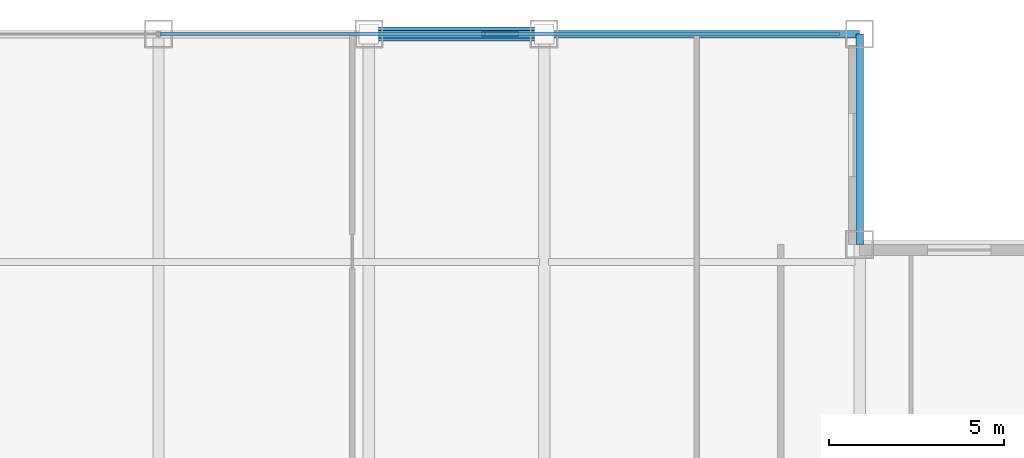
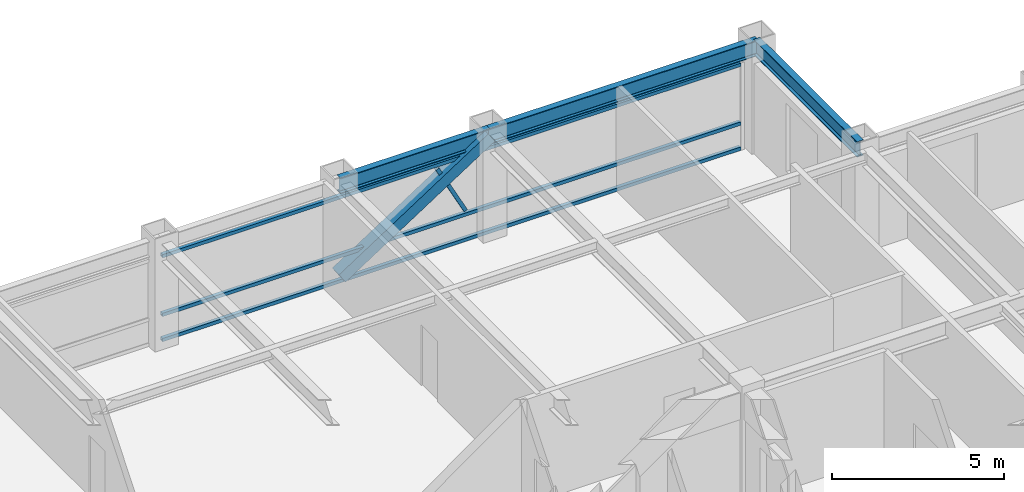
# One storey, part 21 of 28: 5 members, 3 beams, 1 element without a shape of its own.
"""IFC4 building model written with IfcOpenShell, lengths in metres."""

from ifc_helpers import new_model, si_unit, direction, frame, origin, origin_2d, place, context, subcontext, project, spatial, hollow_rectangle, i_section, extrude, source, transform, mapped, material, material_profile, profile_set, type_object, element, aggregate, save


model = new_model("IFC4")

# Units and contexts
model_context = context("Model", 3, precision=1e-05, world=origin(), true_north=direction((0.0, 1.0)))
body_context = subcontext(model_context, "Body", "Model", "MODEL_VIEW")
ifc_project = project(units=[si_unit("LENGTHUNIT", "METRE"), si_unit("AREAUNIT", "SQUARE_METRE"), si_unit("VOLUMEUNIT", "CUBIC_METRE"), si_unit("PLANEANGLEUNIT", "RADIAN"), si_unit("MASSUNIT", "GRAM", prefix="KILO")], contexts=[model_context])

# Site, building, storey
site_placement = place(None, origin())
site = spatial("IfcSite", under=ifc_project, at=site_placement, CompositionType="ELEMENT")
building_placement = place(site_placement, origin())
building = spatial("IfcBuilding", under=site, at=building_placement, Name="Khorayat Bourse Tower", CompositionType="ELEMENT")
storey_placement = place(building_placement, frame((0.0, 0.0, 338.300048828125)))
storey = spatial("IfcBuildingStorey", under=building, at=storey_placement, Name="L80", CompositionType="ELEMENT", Elevation=338.300048828125)

# Beams
ifc_material_1 = material(Name="Steel ASTM A992 Grade 50", Category="steel")
ifc_material_profile_1 = material_profile(ifc_material_1, i_section(OverallWidth=0.214111328125, OverallDepth=0.549072265625, WebThickness=0.0146484375, FlangeThickness=0.023681640625, FilletRadius=0.013916015625, at=origin_2d()), Name="W530X138")
ifc_profile_set_1 = profile_set([ifc_material_profile_1], Name="Steel ASTM A992 Grade 50")
beam_type = type_object("IfcBeamType", Name="BM-SPAN-530", PredefinedType="SPANDREL", material=ifc_profile_set_1)
shared_shape_1 = source(origin(), body_context, "Body", "SweptSolid", [
    extrude(i_section(OverallWidth=0.214111328125, OverallDepth=0.549072265625, WebThickness=0.0146484375, FlangeThickness=0.023681640625, FilletRadius=0.013916015625, at=origin_2d()), origin(), (0.0, 0.0, 1.0), 9.0),
])
beam_1_placement = place(storey_placement, frame((11.0, 26.0, 3.46533203125), z_axis=(1.0, 0.0, 0.0), x_axis=(0.0, 1.0, 0.0)))
element("IfcBeam", 1, at=beam_1_placement, inside=storey, type_object=beam_type, Name="L80 BM-SPAN-530 BM-L80-SPN-040", PredefinedType="SPANDREL", context=body_context, shape_type="MappedRepresentation", body=[
    mapped(shared_shape_1, transform((0.0, 0.0, 0.0), scale=1.0)),
])
shared_shape_2 = source(origin(), body_context, "Body", "SweptSolid", [
    extrude(i_section(OverallWidth=0.214111328125, OverallDepth=0.549072265625, WebThickness=0.0146484375, FlangeThickness=0.023681640625, FilletRadius=0.013916015625, at=origin_2d()), origin(), (0.0, 0.0, 1.0), 5.0),
])
beam_2_placement = place(storey_placement, frame((6.0, 26.0, 3.46533203125), z_axis=(1.0, 0.0, 0.0), x_axis=(0.0, 1.0, 0.0)))
element("IfcBeam", 2, at=beam_2_placement, inside=storey, type_object=beam_type, Name="L80 BM-SPAN-530 BM-L80-SPN-041", PredefinedType="SPANDREL", context=body_context, shape_type="MappedRepresentation", body=[
    mapped(shared_shape_2, transform((0.0, 0.0, 0.0), scale=1.0)),
])
shared_shape_3 = source(origin(), body_context, "Body", "SweptSolid", [
    extrude(i_section(OverallWidth=0.214111328125, OverallDepth=0.549072265625, WebThickness=0.0146484375, FlangeThickness=0.023681640625, FilletRadius=0.013916015625, at=origin_2d()), origin(), (0.0, 0.0, 1.0), 6.0),
])
beam_3_placement = place(storey_placement, frame((20.0, 20.0, 3.46533203125), z_axis=(0.0, 1.0, 0.0), x_axis=(-1.0, 0.0, 0.0)))
element("IfcBeam", 3, at=beam_3_placement, inside=storey, type_object=beam_type, Name="L80 BM-SPAN-530 BM-L80-SPN-039", PredefinedType="SPANDREL", context=body_context, shape_type="MappedRepresentation", body=[
    mapped(shared_shape_3, transform((0.0, 0.0, 0.0), scale=1.0)),
])

# Member
ifc_material_2 = material(Name="Steel EN 10025-4 S460M", Category="steel")
ifc_material_profile_2 = material_profile(ifc_material_2, hollow_rectangle(XDim=0.39990234375, YDim=0.39990234375, WallThickness=0.02197265625, at=origin_2d()), Name="HSS 400x400x22")
ifc_profile_set_2 = profile_set([ifc_material_profile_2], Name="Steel EN 10025-4 S460M")
member_type_1 = type_object("IfcMemberType", Name="MBR-TUBE-400", PredefinedType="BRACE", material=ifc_profile_set_2)
shared_shape_4 = source(origin(), body_context, "Body", "SweptSolid", [
    extrude(hollow_rectangle(XDim=0.39990234375, YDim=0.39990234375, WallThickness=0.02197265625, at=origin_2d()), origin(), (0.0, 0.0, 1.0), 5.9580078125),
])
member_1_placement = place(storey_placement, frame((6.0, 26.0, 0.25), z_axis=(0.839210474455, 0.0, 0.543806748364), x_axis=(0.0, 1.0, 0.0)))
element("IfcMember", 4, at=member_1_placement, inside=storey, type_object=member_type_1, Name="L80 Perimeter Tube Brace 04", PredefinedType="BRACE", context=body_context, shape_type="MappedRepresentation", body=[
    mapped(shared_shape_4, transform((0.0, 0.0, 0.0), scale=1.0)),
])

# Curtain wall, members
ifc_material_3 = material(Name="Aluminium EN AW-6063 T6", Category="aluminium")
curtain_wall_type = type_object("IfcCurtainWallType", Name="CW-SYS-04", PredefinedType="NOTDEFINED", material=ifc_material_3)
curtain_wall_placement = place(storey_placement, origin())
curtain_wall = element("IfcCurtainWall", 5, at=curtain_wall_placement, inside=storey, type_object=curtain_wall_type, Name="L80 Curtain Wall CW-L80-N1", PredefinedType="NOTDEFINED")
ifc_material_profile_3 = material_profile(ifc_material_3, hollow_rectangle(XDim=0.1201171875, YDim=0.1201171875, WallThickness=0.0048828125, at=origin_2d()), Name="ALU 120x120x5")
ifc_profile_set_3 = profile_set([ifc_material_profile_3], Name="Aluminium EN AW-6063 T6")
member_type_2 = type_object("IfcMemberType", Name="CWM-DIAG-120", PredefinedType="MULLION", material=ifc_profile_set_3)
shared_shape_5 = source(origin(), body_context, "Body", "SweptSolid", [
    extrude(hollow_rectangle(XDim=0.1201171875, YDim=0.1201171875, WallThickness=0.0048828125, at=origin_2d()), origin(), (0.0, 0.0, 1.0), 2.0341796875),
])
member_2_placement = place(storey_placement, frame((10.21875, 26.0, 1.08984375), z_axis=(-0.465790950955, 0.0, 0.884894790361), x_axis=(0.0, -1.0, 0.0)))
member_2 = element("IfcMember", 6, at=member_2_placement, type_object=member_type_2, Name="CW-L80-N1 Faceted Diagonal Mullion 2", PredefinedType="MULLION", context=body_context, shape_type="MappedRepresentation", body=[
    mapped(shared_shape_5, transform((0.0, 0.0, 0.0), scale=1.0)),
])
ifc_material_profile_4 = material_profile(ifc_material_3, hollow_rectangle(XDim=0.1201171875, YDim=0.1201171875, WallThickness=0.0048828125, at=origin_2d()), Name="ALU 120x120x5")
ifc_profile_set_4 = profile_set([ifc_material_profile_4], Name="Aluminium EN AW-6063 T6")
member_type_3 = type_object("IfcMemberType", Name="CWT-HORZ-120", PredefinedType="USERDEFINED", material=ifc_profile_set_4)
shared_shape_6 = source(origin(), body_context, "Body", "SweptSolid", [
    extrude(hollow_rectangle(XDim=0.1201171875, YDim=0.1201171875, WallThickness=0.0048828125, at=origin_2d()), origin(), (0.0, 0.0, 1.0), 19.369873046875),
])
member_3_placement = place(storey_placement, frame((0.06005859375, 26.0, 0.06005859375), z_axis=(1.0, 0.0, 0.0), x_axis=(0.0, 1.0, 0.0)))
member_3 = element("IfcMember", 7, at=member_3_placement, type_object=member_type_3, Name="CW-L80-N1 Horizontal Transom 2-1", ObjectType="TRANSOM", PredefinedType="USERDEFINED", context=body_context, shape_type="MappedRepresentation", body=[
    mapped(shared_shape_6, transform((0.0, 0.0, 0.0), scale=1.0)),
])
member_4_placement = place(storey_placement, frame((0.06005859375, 26.0, 0.949951171875), z_axis=(1.0, 0.0, 0.0), x_axis=(0.0, 1.0, 0.0)))
member_4 = element("IfcMember", 8, at=member_4_placement, type_object=member_type_3, Name="CW-L80-N1 Horizontal Transom 2-2", ObjectType="TRANSOM", PredefinedType="USERDEFINED", context=body_context, shape_type="MappedRepresentation", body=[
    mapped(shared_shape_6, transform((0.0, 0.0, 0.0), scale=1.0)),
])
member_5_placement = place(storey_placement, frame((0.06005859375, 26.0, 3.030029296875), z_axis=(1.0, 0.0, 0.0), x_axis=(0.0, 1.0, 0.0)))
member_5 = element("IfcMember", 9, at=member_5_placement, type_object=member_type_3, Name="CW-L80-N1 Horizontal Transom 2-3", ObjectType="TRANSOM", PredefinedType="USERDEFINED", context=body_context, shape_type="MappedRepresentation", body=[
    mapped(shared_shape_6, transform((0.0, 0.0, 0.0), scale=1.0)),
])
aggregate(curtain_wall, [member_3, member_4, member_5, member_2])

save(model, "model.ifc")
